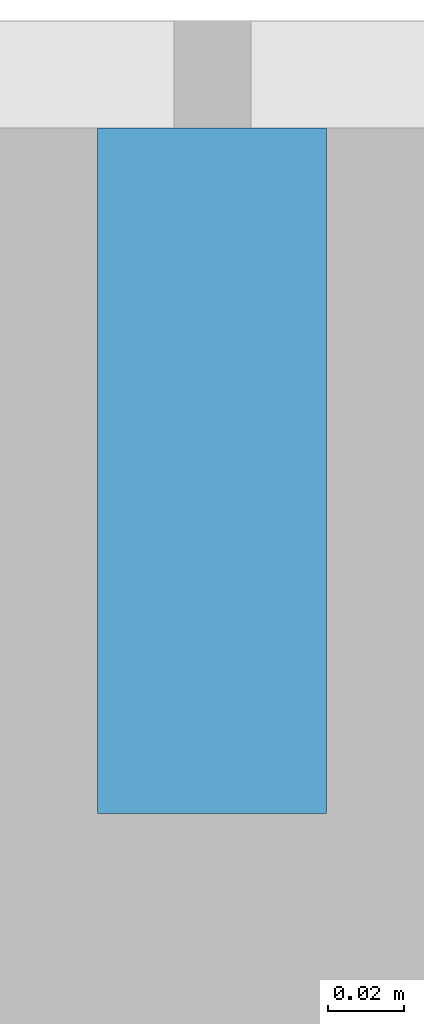
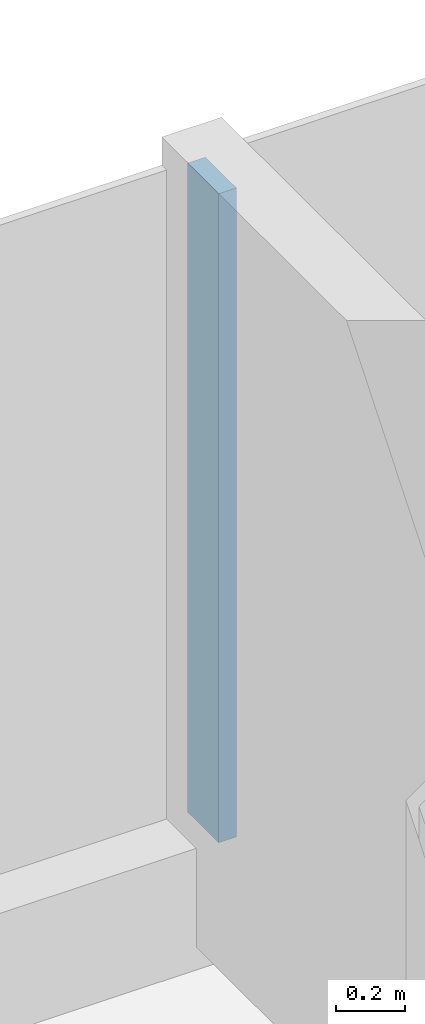
# One storey, part 8 of 26: 1 member, 1 element without a shape of its own.
"""IFC4 building model written with IfcOpenShell, lengths in metres."""

from ifc_helpers import new_model, si_unit, direction, frame, origin, origin_2d, place, context, subcontext, project, spatial, rectangle, extrude, material, layer, layer_set, material_profile, profile_set, type_object, element, aggregate, save


model = new_model("IFC4")

# Units and contexts
model_context = context("Model", 3, precision=1e-05, world=origin(), true_north=direction((0.0, 1.0)))
body_context = subcontext(model_context, "Body", "Model", "MODEL_VIEW")
ifc_project = project(units=[si_unit("LENGTHUNIT", "METRE"), si_unit("AREAUNIT", "SQUARE_METRE"), si_unit("VOLUMEUNIT", "CUBIC_METRE"), si_unit("PLANEANGLEUNIT", "RADIAN"), si_unit("MASSUNIT", "GRAM", prefix="KILO")], contexts=[model_context])

# Site, building, storey
site_placement = place(None, origin())
site = spatial("IfcSite", under=ifc_project, at=site_placement, CompositionType="ELEMENT")
building_placement = place(site_placement, origin())
building = spatial("IfcBuilding", under=site, at=building_placement, Name="Hakoniwa Tower and Hamabe Station Hall", CompositionType="ELEMENT")
storey_placement = place(building_placement, frame((0.0, 0.0, 134.199951171875)))
storey = spatial("IfcBuildingStorey", under=building, at=storey_placement, Name="L37", CompositionType="ELEMENT", Elevation=134.199951171875)

# Curtain wall, member
ifc_material_1 = material(Name="Dark low-e laminated glass", Category="glass")
ifc_layer = layer(ifc_material_1, 0.199951171875)
ifc_layer_set = layer_set([ifc_layer], Name="CW-1 UNITISED GUEST")
curtain_wall_type = type_object("IfcCurtainWallType", Name="CW-1 UNITISED GUEST", PredefinedType="NOTDEFINED", material=ifc_layer_set)
curtain_wall_placement = place(storey_placement, origin())
curtain_wall = element("IfcCurtainWall", 1, at=curtain_wall_placement, inside=storey, type_object=curtain_wall_type, Name="CW-1 curtain wall", PredefinedType="NOTDEFINED")
ifc_material_2 = material(Name="Aluminium 6063-T5 black anodised", Category="aluminium")
ifc_material_profile = material_profile(ifc_material_2, rectangle(XDim=0.06005859375, YDim=0.179931640625, at=origin_2d()), Name="CW-1 MULLION 60X180")
ifc_profile_set = profile_set([ifc_material_profile], Name="Aluminium 6063-T5 black anodised")
member_type = type_object("IfcMemberType", Name="CW-1 MULLION 60X180", PredefinedType="MULLION", material=ifc_profile_set)
member_placement = place(storey_placement, frame((8.39990234375, 18.181884765625, 0.35009765625), z_axis=(0.0, 0.0, 1.0), x_axis=(-1.0, 0.0, 0.0)))
member = element("IfcMember", 2, at=member_placement, type_object=member_type, Name="CW-1 mullion", PredefinedType="MULLION", context=body_context, shape_type="SweptSolid", body=[
    extrude(rectangle(XDim=0.06005859375, YDim=0.179931640625, at=origin_2d()), origin(), (0.0, 0.0, 1.0), 2.300048828125),
])
aggregate(curtain_wall, [member])

save(model, "model.ifc")
